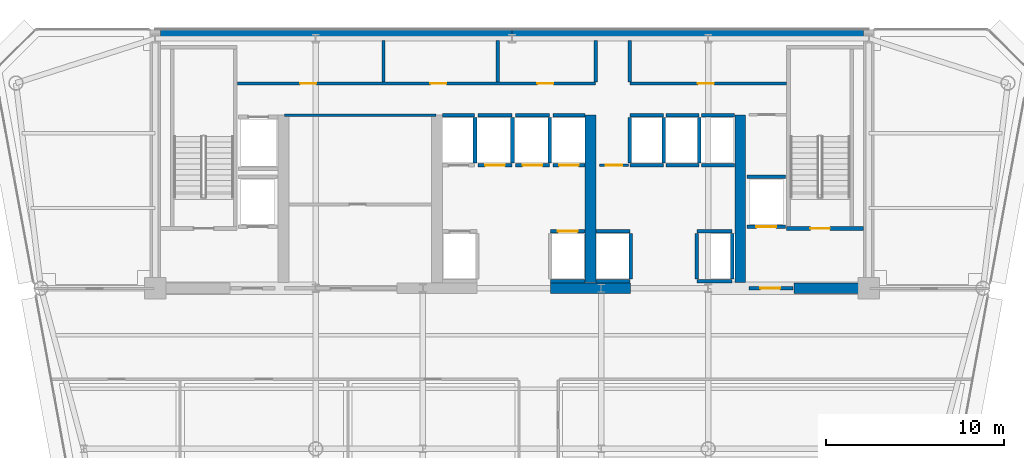
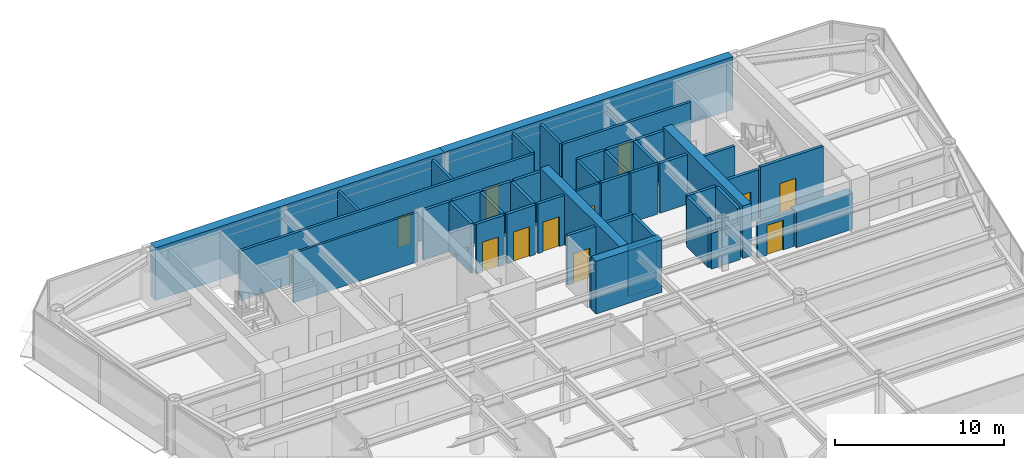
# One storey, part 12 of 17: 46 walls, 12 doors, 12 openings.
"""IFC4 building model written with IfcOpenShell, lengths in metres."""

from ifc_helpers import new_model, si_unit, direction, frame, frame_2d, origin, place, context, subcontext, project, spatial, rectangle, extrude, source, transform, mapped, material, layer, layer_set, type_object, element, fill, save


model = new_model("IFC4")

# Units and contexts
model_context = context("Model", 3, precision=1e-05, world=origin(), true_north=direction((0.0, 1.0)))
body_context = subcontext(model_context, "Body", "Model", "MODEL_VIEW")
ifc_project = project(units=[si_unit("LENGTHUNIT", "METRE"), si_unit("AREAUNIT", "SQUARE_METRE"), si_unit("VOLUMEUNIT", "CUBIC_METRE"), si_unit("PLANEANGLEUNIT", "RADIAN"), si_unit("MASSUNIT", "GRAM", prefix="KILO")], contexts=[model_context])

# Site, building, storey
site_placement = place(None, origin())
site = spatial("IfcSite", under=ifc_project, at=site_placement, CompositionType="ELEMENT")
building_placement = place(site_placement, origin())
building = spatial("IfcBuilding", under=site, at=building_placement, Name="Vaeldorn Concourse Tower", CompositionType="ELEMENT")
storey_placement = place(building_placement, frame((0.0, 0.0, 180.39990234375)))
storey = spatial("IfcBuildingStorey", under=building, at=storey_placement, Name="L46", CompositionType="ELEMENT", Elevation=180.39990234375)

# Walls
ifc_material_1 = material(Name="Concrete C50/60", Category="concrete")
ifc_layer_1 = layer(ifc_material_1, 0.60009765625)
ifc_layer_set_1 = layer_set([ifc_layer_1], Name="Concrete C50/60")
wall_type_1 = type_object("IfcWallType", Name="WL-CORE-600", PredefinedType="SHEAR", material=ifc_layer_set_1)
for number, where, z_axis, x_axis, name in (
    (1, (14.303955078125, 50.699951171875, 0.0), (0.0, 0.0, 1.0), (1.0, 0.0, 0.0), "Rear Core Shear Wall L46 N1"),
    (2, (34.001953125, 50.699951171875, 0.0), (0.0, 0.0, 1.0), (1.0, 0.0, 0.0), "Rear Core Shear Wall L46 N2"),
):
    element("IfcWall", number, at=place(storey_placement, frame(where, z_axis=z_axis, x_axis=x_axis)), inside=storey, type_object=wall_type_1, Name=name, PredefinedType="SHEAR", context=body_context, shape_type="SweptSolid", body=[
        extrude(rectangle(XDim=19.694091796875, YDim=0.60009765625, at=frame_2d((9.84716796875, 0.0))), origin(), (0.0, 0.0, 1.0), 3.800048828125),
    ])
wall_1_placement = place(storey_placement, frame((36.14990234375, 36.5, 0.0), z_axis=(0.0, 0.0, 1.0), x_axis=(1.0, 0.0, 0.0)))
element("IfcWall", 3, at=wall_1_placement, inside=storey, type_object=wall_type_1, Name="Rear Core Shear Wall L46 S3", PredefinedType="SHEAR", context=body_context, shape_type="SweptSolid", body=[
    extrude(rectangle(XDim=4.5, YDim=0.60009765625, at=frame_2d((2.25, 0.0))), origin(), (0.0, 0.0, 1.0), 3.800048828125),
])
wall_2_placement = place(storey_placement, frame((49.800048828125, 36.5, 0.0), z_axis=(0.0, 0.0, 1.0), x_axis=(1.0, 0.0, 0.0)))
element("IfcWall", 4, at=wall_2_placement, inside=storey, type_object=wall_type_1, Name="Rear Core Shear Wall L46 S4", PredefinedType="SHEAR", context=body_context, shape_type="SweptSolid", body=[
    extrude(rectangle(XDim=3.8798828125, YDim=0.60009765625, at=frame_2d((1.93994140625, 0.0))), origin(), (0.0, 0.0, 1.0), 2.580078125),
])
for number, where, z_axis, x_axis, name in (
    (5, (38.39990234375, 36.820068359375, 0.0), (0.0, 0.0, 1.0), (0.0, 1.0, 0.0), "Rear Core Shear Wall L46 M3"),
    (6, (46.800048828125, 36.820068359375, 0.0), (0.0, 0.0, 1.0), (0.0, 1.0, 0.0), "Rear Core Shear Wall L46 M4"),
):
    element("IfcWall", number, at=place(storey_placement, frame(where, z_axis=z_axis, x_axis=x_axis)), inside=storey, type_object=wall_type_1, Name=name, PredefinedType="SHEAR", context=body_context, shape_type="SweptSolid", body=[
        extrude(rectangle(XDim=9.3798828125, YDim=0.60009765625, at=frame_2d((4.68994140625, 0.0))), origin(), (0.0, 0.0, 1.0), 3.800048828125),
    ])
ifc_material_2 = material(Name="Gypsum Board Partition", Category="gypsum")
ifc_layer_2 = layer(ifc_material_2, 0.14990234375)
ifc_layer_set_2 = layer_set([ifc_layer_2], Name="Gypsum Board Partition")
wall_type_2 = type_object("IfcWallType", Name="WL-PART-150", PredefinedType="PARTITIONING", material=ifc_layer_set_2)
wall_3_placement = place(storey_placement, frame((21.25, 46.199951171875, 0.0), z_axis=(0.0, 0.0, 1.0), x_axis=(1.0, 0.0, 0.0)))
element("IfcWall", 7, at=wall_3_placement, inside=storey, type_object=wall_type_2, Name="Interior Wall CW-L46-R1N", PredefinedType="PARTITIONING", context=body_context, shape_type="SweptSolid", body=[
    extrude(rectangle(XDim=8.5, YDim=0.14990234375, at=frame_2d((4.25, 0.0))), origin(), (0.0, 0.0, 1.0), 3.580078125),
])

# Wall, opening, door
wall_4_placement = place(storey_placement, frame((38.919921875, 43.39990234375, 0.0), z_axis=(0.0, 0.0, 1.0), x_axis=(1.0, 0.0, 0.0)))
wall_4 = element("IfcWall", 8, at=wall_4_placement, inside=storey, type_object=wall_type_2, Name="Interior Wall CW-L46-CCLINK", PredefinedType="PARTITIONING", context=body_context, shape_type="SweptSolid", body=[
    extrude(rectangle(XDim=1.60009765625, YDim=0.14990234375, at=frame_2d((0.800048828125, 0.0))), origin(), (0.0, 0.0, 1.0), 3.580078125),
])
opening_1_placement = place(wall_4_placement, frame((0.35009765625, 0.0, 0.0)))
opening_1 = element("IfcOpeningElement", 9, at=opening_1_placement, cuts=wall_4, Name="Opening D-02", PredefinedType="OPENING", context=body_context, shape_type="SweptSolid", body=[
    extrude(rectangle(XDim=0.89990234375, YDim=2.10009765625, at=frame_2d((0.449951171875, 1.050048828125))), frame((0.0, 0.0849609375, 0.0), z_axis=(0.0, -1.0, 0.0), x_axis=(1.0, 0.0, 0.0)), (0.0, 0.0, 1.0), 0.169921875),
])
ifc_material_3 = material(Name="Fire-Rated Timber Leaf", Category="wood")
door_type_1 = type_object("IfcDoorType", Name="DR-FD30-900", OperationType="NOTDEFINED", PredefinedType="DOOR", material=ifc_material_3)
shared_shape_1 = source(origin(), body_context, "Body", "SweptSolid", [
    extrude(rectangle(XDim=0.89990234375, YDim=2.10009765625, at=frame_2d((0.449951171875, 1.050048828125))), frame((0.0, 0.02490234375, 0.0), z_axis=(0.0, -1.0, 0.0), x_axis=(1.0, 0.0, 0.0)), (0.0, 0.0, 1.0), 0.050048828125),
])
door_1_placement = place(opening_1_placement, origin())
door_1 = element("IfcDoor", 10, at=door_1_placement, inside=storey, type_object=door_type_1, Name="Interior Door DR-L46-CCLINK", OperationType="SINGLE_SWING_LEFT", OverallHeight=2.10009765625, OverallWidth=0.89990234375, PredefinedType="DOOR", context=body_context, shape_type="MappedRepresentation", body=[
    mapped(shared_shape_1, transform((0.0, 0.0, 0.0), scale=1.0)),
])
fill(opening_1, door_1)

# Wall, openings, doors
ifc_layer_3 = layer(ifc_material_2, 0.179931640625)
ifc_layer_set_3 = layer_set([ifc_layer_3], Name="Gypsum Board Partition")
wall_type_3 = type_object("IfcWallType", Name="WL-PLUMB-180", PredefinedType="PLUMBINGWALL", material=ifc_layer_set_3)
wall_5_placement = place(storey_placement, frame((18.6201171875, 47.97998046875, 0.0), z_axis=(0.0, 0.0, 1.0), x_axis=(1.0, 0.0, 0.0)))
wall_5 = element("IfcWall", 11, at=wall_5_placement, inside=storey, type_object=wall_type_3, Name="Interior Wall CW-L46-NS1W", PredefinedType="PLUMBINGWALL", context=body_context, shape_type="SweptSolid", body=[
    extrude(rectangle(XDim=20.059814453125, YDim=0.179931640625, at=frame_2d((10.02978515625, 0.0))), origin(), (0.0, 0.0, 1.0), 3.580078125),
])
opening_2_placement = place(wall_5_placement, frame((3.5, 0.0, 0.0)))
opening_2 = element("IfcOpeningElement", 12, at=opening_2_placement, cuts=wall_5, Name="Opening D-03", PredefinedType="OPENING", context=body_context, shape_type="SweptSolid", body=[
    extrude(rectangle(XDim=0.89990234375, YDim=2.14990234375, at=frame_2d((0.449951171875, 1.074951171875))), frame((0.0, 0.10009765625, 0.0), z_axis=(0.0, -1.0, 0.0), x_axis=(1.0, 0.0, 0.0)), (0.0, 0.0, 1.0), 0.199951171875),
])
opening_3_placement = place(wall_5_placement, frame((10.800048828125, 0.0, 0.0)))
opening_3 = element("IfcOpeningElement", 13, at=opening_3_placement, cuts=wall_5, Name="Opening D-03", PredefinedType="OPENING", context=body_context, shape_type="SweptSolid", body=[
    extrude(rectangle(XDim=0.89990234375, YDim=2.14990234375, at=frame_2d((0.449951171875, 1.074951171875))), frame((0.0, 0.10009765625, 0.0), z_axis=(0.0, -1.0, 0.0), x_axis=(1.0, 0.0, 0.0)), (0.0, 0.0, 1.0), 0.199951171875),
])
opening_4_placement = place(wall_5_placement, frame((16.800048828125, 0.0, 0.0)))
opening_4 = element("IfcOpeningElement", 14, at=opening_4_placement, cuts=wall_5, Name="Opening D-03", PredefinedType="OPENING", context=body_context, shape_type="SweptSolid", body=[
    extrude(rectangle(XDim=0.89990234375, YDim=2.14990234375, at=frame_2d((0.449951171875, 1.074951171875))), frame((0.0, 0.10009765625, 0.0), z_axis=(0.0, -1.0, 0.0), x_axis=(1.0, 0.0, 0.0)), (0.0, 0.0, 1.0), 0.199951171875),
])
ifc_material_4 = material(Name="Acoustic Bronze-Framed Glass Door", Category="glass")
door_type_2 = type_object("IfcDoorType", Name="DR-INT-900", OperationType="NOTDEFINED", PredefinedType="DOOR", material=ifc_material_4)
shared_shape_2 = source(origin(), body_context, "Body", "SweptSolid", [
    extrude(rectangle(XDim=0.89990234375, YDim=2.14990234375, at=frame_2d((0.449951171875, 1.074951171875))), frame((0.0, 0.02490234375, 0.0), z_axis=(0.0, -1.0, 0.0), x_axis=(1.0, 0.0, 0.0)), (0.0, 0.0, 1.0), 0.050048828125),
])
door_2_placement = place(opening_2_placement, origin())
door_2 = element("IfcDoor", 15, at=door_2_placement, inside=storey, type_object=door_type_2, Name="Interior Door DR-L46-CS1", OperationType="SINGLE_SWING_LEFT", OverallHeight=2.14990234375, OverallWidth=0.89990234375, PredefinedType="DOOR", context=body_context, shape_type="MappedRepresentation", body=[
    mapped(shared_shape_2, transform((0.0, 0.0, 0.0), scale=1.0)),
])
fill(opening_2, door_2)
door_3_placement = place(opening_3_placement, origin())
door_3 = element("IfcDoor", 16, at=door_3_placement, inside=storey, type_object=door_type_2, Name="Interior Door DR-L46-CS2", OperationType="SINGLE_SWING_RIGHT", OverallHeight=2.14990234375, OverallWidth=0.89990234375, PredefinedType="DOOR", context=body_context, shape_type="MappedRepresentation", body=[
    mapped(shared_shape_2, transform((0.0, 0.0, 0.0), scale=1.0)),
])
fill(opening_3, door_3)
door_4_placement = place(opening_4_placement, origin())
door_4 = element("IfcDoor", 17, at=door_4_placement, inside=storey, type_object=door_type_2, Name="Interior Door DR-L46-CS3", OperationType="SINGLE_SWING_LEFT", OverallHeight=2.14990234375, OverallWidth=0.89990234375, PredefinedType="DOOR", context=body_context, shape_type="MappedRepresentation", body=[
    mapped(shared_shape_2, transform((0.0, 0.0, 0.0), scale=1.0)),
])
fill(opening_4, door_4)

# Wall, opening, door
wall_6_placement = place(storey_placement, frame((40.6201171875, 47.97998046875, 0.0), z_axis=(0.0, 0.0, 1.0), x_axis=(1.0, 0.0, 0.0)))
wall_6 = element("IfcWall", 18, at=wall_6_placement, inside=storey, type_object=wall_type_3, Name="Interior Wall CW-L46-NS1E", PredefinedType="PLUMBINGWALL", context=body_context, shape_type="SweptSolid", body=[
    extrude(rectangle(XDim=8.759765625, YDim=0.179931640625, at=frame_2d((4.3798828125, 0.0))), origin(), (0.0, 0.0, 1.0), 3.580078125),
])
opening_5_placement = place(wall_6_placement, frame((3.800048828125, 0.0, 0.0)))
opening_5 = element("IfcOpeningElement", 19, at=opening_5_placement, cuts=wall_6, Name="Opening D-03", PredefinedType="OPENING", context=body_context, shape_type="SweptSolid", body=[
    extrude(rectangle(XDim=0.89990234375, YDim=2.14990234375, at=frame_2d((0.449951171875, 1.074951171875))), frame((0.0, 0.10009765625, 0.0), z_axis=(0.0, -1.0, 0.0), x_axis=(1.0, 0.0, 0.0)), (0.0, 0.0, 1.0), 0.199951171875),
])
door_5_placement = place(opening_5_placement, origin())
door_5 = element("IfcDoor", 20, at=door_5_placement, inside=storey, type_object=door_type_2, Name="Interior Door DR-L46-CS4", OperationType="SINGLE_SWING_RIGHT", OverallHeight=2.14990234375, OverallWidth=0.89990234375, PredefinedType="DOOR", context=body_context, shape_type="MappedRepresentation", body=[
    mapped(shared_shape_2, transform((0.0, 0.0, 0.0), scale=1.0)),
])
fill(opening_5, door_5)

# Walls
for number, where, z_axis, x_axis, name in (
    (21, (26.800048828125, 48.06005859375, 0.0), (0.0, 0.0, 1.0), (0.0, 1.0, 0.0), "Interior Wall CW-L46-NDIV1"),
    (22, (33.199951171875, 48.06005859375, 0.0), (0.0, 0.0, 1.0), (0.0, 1.0, 0.0), "Interior Wall CW-L46-NDIV2"),
    (23, (38.699951171875, 48.06005859375, 0.0), (0.0, 0.0, 1.0), (0.0, 1.0, 0.0), "Interior Wall CW-L46-NDIV3"),
    (24, (40.60009765625, 48.06005859375, 0.0), (0.0, 0.0, 1.0), (0.0, 1.0, 0.0), "Interior Wall CW-L46-NDIV4"),
):
    element("IfcWall", number, at=place(storey_placement, frame(where, z_axis=z_axis, x_axis=x_axis)), inside=storey, type_object=wall_type_3, Name=name, PredefinedType="PLUMBINGWALL", context=body_context, shape_type="SweptSolid", body=[
        extrude(rectangle(XDim=2.31982421875, YDim=0.179931640625, at=frame_2d((1.159912109375, 0.0))), origin(), (0.0, 0.0, 1.0), 3.580078125),
    ])

# Wall, opening, door
ifc_layer_4 = layer(ifc_material_1, 0.199951171875)
ifc_layer_set_4 = layer_set([ifc_layer_4], Name="Concrete C50/60")
wall_type_4 = type_object("IfcWallType", Name="WL-SHAFT-200", PredefinedType="SOLIDWALL", material=ifc_layer_set_4)
wall_7_placement = place(storey_placement, frame((49.39990234375, 39.85009765625, 0.0), z_axis=(0.0, 0.0, 1.0), x_axis=(1.0, 0.0, 0.0)))
wall_7 = element("IfcWall", 25, at=wall_7_placement, inside=storey, type_object=wall_type_4, Name="Stair Shaft Wall CW-L46-ST-2-S", PredefinedType="SOLIDWALL", context=body_context, shape_type="SweptSolid", body=[
    extrude(rectangle(XDim=4.300048828125, YDim=0.199951171875, at=frame_2d((2.14990234375, 0.0))), origin(), (0.0, 0.0, 1.0), 3.800048828125),
])
opening_6_placement = place(wall_7_placement, frame((1.324951171875, 0.0, 0.0)))
opening_6 = element("IfcOpeningElement", 26, at=opening_6_placement, cuts=wall_7, Name="Opening D-01", PredefinedType="OPENING", context=body_context, shape_type="SweptSolid", body=[
    extrude(rectangle(XDim=1.10009765625, YDim=2.14990234375, at=frame_2d((0.550048828125, 1.074951171875))), frame((0.0, 0.10986328125, 0.0), z_axis=(0.0, -1.0, 0.0), x_axis=(1.0, 0.0, 0.0)), (0.0, 0.0, 1.0), 0.219970703125),
])
ifc_material_5 = material(Name="Fire-Rated Timber and Steel Leaf", Category="steel")
door_type_3 = type_object("IfcDoorType", Name="DR-FD60-1100", OperationType="NOTDEFINED", PredefinedType="DOOR", material=ifc_material_5)
shared_shape_3 = source(origin(), body_context, "Body", "SweptSolid", [
    extrude(rectangle(XDim=1.10009765625, YDim=2.14990234375, at=frame_2d((0.550048828125, 1.074951171875))), frame((0.0, 0.02490234375, 0.0), z_axis=(0.0, -1.0, 0.0), x_axis=(1.0, 0.0, 0.0)), (0.0, 0.0, 1.0), 0.050048828125),
])
door_6_placement = place(opening_6_placement, origin())
door_6 = element("IfcDoor", 27, at=door_6_placement, inside=storey, type_object=door_type_3, Name="Interior Door DR-L46-ST-2", OperationType="SINGLE_SWING_RIGHT", OverallHeight=2.14990234375, OverallWidth=1.10009765625, PredefinedType="DOOR", context=body_context, shape_type="MappedRepresentation", body=[
    mapped(shared_shape_3, transform((0.0, 0.0, 0.0), scale=1.0)),
])
fill(opening_6, door_6)

wall_8_placement = place(storey_placement, frame((47.280029296875, 36.5, 0.0), z_axis=(0.0, 0.0, 1.0), x_axis=(1.0, 0.0, 0.0)))
wall_8 = element("IfcWall", 28, at=wall_8_placement, inside=storey, type_object=wall_type_4, Name="Interior Wall CW-L46-FF2S", PredefinedType="SOLIDWALL", context=body_context, shape_type="SweptSolid", body=[
    extrude(rectangle(XDim=2.469970703125, YDim=0.199951171875, at=frame_2d((1.23486328125, 0.0))), origin(), (0.0, 0.0, 1.0), 2.570068359375),
])
opening_7_placement = place(wall_8_placement, frame((0.64990234375, 0.0, 0.0)))
opening_7 = element("IfcOpeningElement", 29, at=opening_7_placement, cuts=wall_8, Name="Opening D-01", PredefinedType="OPENING", context=body_context, shape_type="SweptSolid", body=[
    extrude(rectangle(XDim=1.10009765625, YDim=2.14990234375, at=frame_2d((0.550048828125, 1.074951171875))), frame((0.0, 0.10986328125, 0.0), z_axis=(0.0, -1.0, 0.0), x_axis=(1.0, 0.0, 0.0)), (0.0, 0.0, 1.0), 0.219970703125),
])
door_7_placement = place(opening_7_placement, origin())
door_7 = element("IfcDoor", 30, at=door_7_placement, inside=storey, type_object=door_type_3, Name="Interior Door DR-L46-FF2W", OperationType="SINGLE_SWING_LEFT", OverallHeight=2.14990234375, OverallWidth=1.10009765625, PredefinedType="DOOR", context=body_context, shape_type="MappedRepresentation", body=[
    mapped(shared_shape_3, transform((0.0, 0.0, 0.0), scale=1.0)),
])
fill(opening_7, door_7)

wall_9_placement = place(storey_placement, frame((36.169921875, 39.699951171875, 0.0), z_axis=(0.0, 0.0, 1.0), x_axis=(1.0, 0.0, 0.0)))
wall_9 = element("IfcWall", 31, at=wall_9_placement, inside=storey, type_object=wall_type_4, Name="Interior Wall CW-L46-LF-LF-08", PredefinedType="SOLIDWALL", context=body_context, shape_type="SweptSolid", body=[
    extrude(rectangle(XDim=1.920166015625, YDim=0.199951171875, at=frame_2d((0.9599609375, 0.0))), origin(), (0.0, 0.0, 1.0), 3.580078125),
])
opening_8_placement = place(wall_9_placement, frame((0.409912109375, 0.0, 0.0)))
opening_8 = element("IfcOpeningElement", 32, at=opening_8_placement, cuts=wall_9, Name="Opening LD-1", PredefinedType="OPENING", context=body_context, shape_type="SweptSolid", body=[
    extrude(rectangle(XDim=1.10009765625, YDim=2.14990234375, at=frame_2d((0.550048828125, 1.074951171875))), frame((0.0, 0.10986328125, 0.0), z_axis=(0.0, -1.0, 0.0), x_axis=(1.0, 0.0, 0.0)), (0.0, 0.0, 1.0), 0.219970703125),
])
ifc_material_6 = material(Name="Anodised Bronze Aluminium", Category="aluminium")
door_type_4 = type_object("IfcDoorType", Name="DR-LIFT-SLIDE-1100", OperationType="DOUBLE_DOOR_SLIDING", PredefinedType="DOOR", material=ifc_material_6)
door_8_placement = place(opening_8_placement, origin())
door_8 = element("IfcDoor", 33, at=door_8_placement, inside=storey, type_object=door_type_4, Name="Lift Landing Door LD-L46-LF-08", OperationType="DOUBLE_DOOR_SLIDING", OverallHeight=2.14990234375, OverallWidth=1.10009765625, PredefinedType="DOOR", context=body_context, shape_type="MappedRepresentation", body=[
    mapped(shared_shape_3, transform((0.0, 0.0, 0.0), scale=1.0)),
])
fill(opening_8, door_8)

# Walls
wall_10_placement = place(storey_placement, frame((36.169921875, 36.89990234375, 0.0), z_axis=(0.0, 0.0, 1.0), x_axis=(1.0, 0.0, 0.0)))
element("IfcWall", 34, at=wall_10_placement, inside=storey, type_object=wall_type_4, Name="Interior Wall CW-L46-LFB-LF-08", PredefinedType="SOLIDWALL", context=body_context, shape_type="SweptSolid", body=[
    extrude(rectangle(XDim=1.920166015625, YDim=0.199951171875, at=frame_2d((0.9599609375, 0.0))), origin(), (0.0, 0.0, 1.0), 3.580078125),
])
wall_11_placement = place(storey_placement, frame((30.110107421875, 46.199951171875, 0.0), z_axis=(0.0, 0.0, 1.0), x_axis=(1.0, 0.0, 0.0)))
element("IfcWall", 35, at=wall_11_placement, inside=storey, type_object=wall_type_4, Name="Interior Wall CW-L46-LFB-LF-09", PredefinedType="SOLIDWALL", context=body_context, shape_type="SweptSolid", body=[
    extrude(rectangle(XDim=1.7998046875, YDim=0.199951171875, at=frame_2d((0.89990234375, 0.0))), origin(), (0.0, 0.0, 1.0), 3.580078125),
])
wall_12_placement = place(storey_placement, frame((31.929931640625, 43.52001953125, 0.0), z_axis=(0.0, 0.0, 1.0), x_axis=(0.0, 1.0, 0.0)))
element("IfcWall", 36, at=wall_12_placement, inside=storey, type_object=wall_type_4, Name="Interior Wall CW-L46-LFE-LF-09", PredefinedType="SOLIDWALL", context=body_context, shape_type="SweptSolid", body=[
    extrude(rectangle(XDim=2.56005859375, YDim=0.199951171875, at=frame_2d((1.280029296875, 0.0))), origin(), (0.0, 0.0, 1.0), 3.580078125),
])

# Wall, opening, door
wall_13_placement = place(storey_placement, frame((32.090087890625, 43.39990234375, 0.0), z_axis=(0.0, 0.0, 1.0), x_axis=(1.0, 0.0, 0.0)))
wall_13 = element("IfcWall", 37, at=wall_13_placement, inside=storey, type_object=wall_type_4, Name="Interior Wall CW-L46-LF-LF-10", PredefinedType="SOLIDWALL", context=body_context, shape_type="SweptSolid", body=[
    extrude(rectangle(XDim=1.919921875, YDim=0.199951171875, at=frame_2d((0.9599609375, 0.0))), origin(), (0.0, 0.0, 1.0), 3.580078125),
])
opening_9_placement = place(wall_13_placement, frame((0.409912109375, 0.0, 0.0)))
opening_9 = element("IfcOpeningElement", 38, at=opening_9_placement, cuts=wall_13, Name="Opening LD-1", PredefinedType="OPENING", context=body_context, shape_type="SweptSolid", body=[
    extrude(rectangle(XDim=1.10009765625, YDim=2.14990234375, at=frame_2d((0.550048828125, 1.074951171875))), frame((0.0, 0.10986328125, 0.0), z_axis=(0.0, -1.0, 0.0), x_axis=(1.0, 0.0, 0.0)), (0.0, 0.0, 1.0), 0.219970703125),
])
door_9_placement = place(opening_9_placement, origin())
door_9 = element("IfcDoor", 39, at=door_9_placement, inside=storey, type_object=door_type_4, Name="Lift Landing Door LD-L46-LF-10", OperationType="DOUBLE_DOOR_SLIDING", OverallHeight=2.14990234375, OverallWidth=1.10009765625, PredefinedType="DOOR", context=body_context, shape_type="MappedRepresentation", body=[
    mapped(shared_shape_3, transform((0.0, 0.0, 0.0), scale=1.0)),
])
fill(opening_9, door_9)

# Walls
wall_14_placement = place(storey_placement, frame((32.090087890625, 46.199951171875, 0.0), z_axis=(0.0, 0.0, 1.0), x_axis=(1.0, 0.0, 0.0)))
element("IfcWall", 40, at=wall_14_placement, inside=storey, type_object=wall_type_4, Name="Interior Wall CW-L46-LFB-LF-10", PredefinedType="SOLIDWALL", context=body_context, shape_type="SweptSolid", body=[
    extrude(rectangle(XDim=1.919921875, YDim=0.199951171875, at=frame_2d((0.9599609375, 0.0))), origin(), (0.0, 0.0, 1.0), 3.580078125),
])
wall_15_placement = place(storey_placement, frame((34.030029296875, 43.52001953125, 0.0), z_axis=(0.0, 0.0, 1.0), x_axis=(0.0, 1.0, 0.0)))
element("IfcWall", 41, at=wall_15_placement, inside=storey, type_object=wall_type_4, Name="Interior Wall CW-L46-LFE-LF-10", PredefinedType="SOLIDWALL", context=body_context, shape_type="SweptSolid", body=[
    extrude(rectangle(XDim=2.56005859375, YDim=0.199951171875, at=frame_2d((1.280029296875, 0.0))), origin(), (0.0, 0.0, 1.0), 3.580078125),
])

# Wall, opening, door
wall_16_placement = place(storey_placement, frame((34.18994140625, 43.39990234375, 0.0), z_axis=(0.0, 0.0, 1.0), x_axis=(1.0, 0.0, 0.0)))
wall_16 = element("IfcWall", 42, at=wall_16_placement, inside=storey, type_object=wall_type_4, Name="Interior Wall CW-L46-LF-LF-11", PredefinedType="SOLIDWALL", context=body_context, shape_type="SweptSolid", body=[
    extrude(rectangle(XDim=1.920166015625, YDim=0.199951171875, at=frame_2d((0.9599609375, 0.0))), origin(), (0.0, 0.0, 1.0), 3.580078125),
])
opening_10_placement = place(wall_16_placement, frame((0.409912109375, 0.0, 0.0)))
opening_10 = element("IfcOpeningElement", 43, at=opening_10_placement, cuts=wall_16, Name="Opening LD-1", PredefinedType="OPENING", context=body_context, shape_type="SweptSolid", body=[
    extrude(rectangle(XDim=1.10009765625, YDim=2.14990234375, at=frame_2d((0.550048828125, 1.074951171875))), frame((0.0, 0.10986328125, 0.0), z_axis=(0.0, -1.0, 0.0), x_axis=(1.0, 0.0, 0.0)), (0.0, 0.0, 1.0), 0.219970703125),
])
door_10_placement = place(opening_10_placement, origin())
door_10 = element("IfcDoor", 44, at=door_10_placement, inside=storey, type_object=door_type_4, Name="Lift Landing Door LD-L46-LF-11", OperationType="DOUBLE_DOOR_SLIDING", OverallHeight=2.14990234375, OverallWidth=1.10009765625, PredefinedType="DOOR", context=body_context, shape_type="MappedRepresentation", body=[
    mapped(shared_shape_3, transform((0.0, 0.0, 0.0), scale=1.0)),
])
fill(opening_10, door_10)

# Walls
wall_17_placement = place(storey_placement, frame((34.18994140625, 46.199951171875, 0.0), z_axis=(0.0, 0.0, 1.0), x_axis=(1.0, 0.0, 0.0)))
element("IfcWall", 45, at=wall_17_placement, inside=storey, type_object=wall_type_4, Name="Interior Wall CW-L46-LFB-LF-11", PredefinedType="SOLIDWALL", context=body_context, shape_type="SweptSolid", body=[
    extrude(rectangle(XDim=1.920166015625, YDim=0.199951171875, at=frame_2d((0.9599609375, 0.0))), origin(), (0.0, 0.0, 1.0), 3.580078125),
])
wall_18_placement = place(storey_placement, frame((36.1298828125, 43.52001953125, 0.0), z_axis=(0.0, 0.0, 1.0), x_axis=(0.0, 1.0, 0.0)))
element("IfcWall", 46, at=wall_18_placement, inside=storey, type_object=wall_type_4, Name="Interior Wall CW-L46-LFE-LF-11", PredefinedType="SOLIDWALL", context=body_context, shape_type="SweptSolid", body=[
    extrude(rectangle(XDim=2.56005859375, YDim=0.199951171875, at=frame_2d((1.280029296875, 0.0))), origin(), (0.0, 0.0, 1.0), 3.580078125),
])

# Wall, opening, door
wall_19_placement = place(storey_placement, frame((36.2900390625, 43.39990234375, 0.0), z_axis=(0.0, 0.0, 1.0), x_axis=(1.0, 0.0, 0.0)))
wall_19 = element("IfcWall", 47, at=wall_19_placement, inside=storey, type_object=wall_type_4, Name="Interior Wall CW-L46-LF-LF-12", PredefinedType="SOLIDWALL", context=body_context, shape_type="SweptSolid", body=[
    extrude(rectangle(XDim=1.800048828125, YDim=0.199951171875, at=frame_2d((0.89990234375, 0.0))), origin(), (0.0, 0.0, 1.0), 3.580078125),
])
opening_11_placement = place(wall_19_placement, frame((0.35009765625, 0.0, 0.0)))
opening_11 = element("IfcOpeningElement", 48, at=opening_11_placement, cuts=wall_19, Name="Opening LD-1", PredefinedType="OPENING", context=body_context, shape_type="SweptSolid", body=[
    extrude(rectangle(XDim=1.10009765625, YDim=2.14990234375, at=frame_2d((0.550048828125, 1.074951171875))), frame((0.0, 0.10986328125, 0.0), z_axis=(0.0, -1.0, 0.0), x_axis=(1.0, 0.0, 0.0)), (0.0, 0.0, 1.0), 0.219970703125),
])
door_11_placement = place(opening_11_placement, origin())
door_11 = element("IfcDoor", 49, at=door_11_placement, inside=storey, type_object=door_type_4, Name="Lift Landing Door LD-L46-LF-12", OperationType="DOUBLE_DOOR_SLIDING", OverallHeight=2.14990234375, OverallWidth=1.10009765625, PredefinedType="DOOR", context=body_context, shape_type="MappedRepresentation", body=[
    mapped(shared_shape_3, transform((0.0, 0.0, 0.0), scale=1.0)),
])
fill(opening_11, door_11)

# Walls
wall_20_placement = place(storey_placement, frame((36.2900390625, 46.199951171875, 0.0), z_axis=(0.0, 0.0, 1.0), x_axis=(1.0, 0.0, 0.0)))
element("IfcWall", 50, at=wall_20_placement, inside=storey, type_object=wall_type_4, Name="Interior Wall CW-L46-LFB-LF-12", PredefinedType="SOLIDWALL", context=body_context, shape_type="SweptSolid", body=[
    extrude(rectangle(XDim=1.800048828125, YDim=0.199951171875, at=frame_2d((0.89990234375, 0.0))), origin(), (0.0, 0.0, 1.0), 3.580078125),
])
for number, where, z_axis, x_axis, name in (
    (51, (38.7099609375, 39.699951171875, 0.0), (0.0, 0.0, 1.0), (1.0, 0.0, 0.0), "Interior Wall CW-L46-LF-LF-13"),
    (52, (38.7099609375, 36.89990234375, 0.0), (0.0, 0.0, 1.0), (1.0, 0.0, 0.0), "Interior Wall CW-L46-LFB-LF-13"),
):
    element("IfcWall", number, at=place(storey_placement, frame(where, z_axis=z_axis, x_axis=x_axis)), inside=storey, type_object=wall_type_4, Name=name, PredefinedType="SOLIDWALL", context=body_context, shape_type="SweptSolid", body=[
        extrude(rectangle(XDim=1.919921875, YDim=0.199951171875, at=frame_2d((0.9599609375, 0.0))), origin(), (0.0, 0.0, 1.0), 3.580078125),
    ])
wall_21_placement = place(storey_placement, frame((40.64990234375, 37.02001953125, 0.0), z_axis=(0.0, 0.0, 1.0), x_axis=(0.0, 1.0, 0.0)))
element("IfcWall", 53, at=wall_21_placement, inside=storey, type_object=wall_type_4, Name="Interior Wall CW-L46-LFE-LF-13", PredefinedType="SOLIDWALL", context=body_context, shape_type="SweptSolid", body=[
    extrude(rectangle(XDim=2.56005859375, YDim=0.199951171875, at=frame_2d((1.280029296875, 0.0))), origin(), (0.0, 0.0, 1.0), 3.580078125),
])
wall_22_placement = place(storey_placement, frame((44.3701171875, 39.699951171875, 0.0), z_axis=(0.0, 0.0, 1.0), x_axis=(1.0, 0.0, 0.0)))
element("IfcWall", 54, at=wall_22_placement, inside=storey, type_object=wall_type_4, Name="Interior Wall CW-L46-LF-LF-14", PredefinedType="SOLIDWALL", context=body_context, shape_type="SweptSolid", body=[
    extrude(rectangle(XDim=1.9599609375, YDim=0.199951171875, at=frame_2d((0.97998046875, 0.0))), origin(), (0.0, 0.0, 1.0), 3.580078125),
])
wall_23_placement = place(storey_placement, frame((44.3701171875, 36.89990234375, 0.0), z_axis=(0.0, 0.0, 1.0), x_axis=(1.0, 0.0, 0.0)))
element("IfcWall", 55, at=wall_23_placement, inside=storey, type_object=wall_type_4, Name="Interior Wall CW-L46-LFB-LF-14", PredefinedType="SOLIDWALL", context=body_context, shape_type="SweptSolid", body=[
    extrude(rectangle(XDim=1.9599609375, YDim=0.199951171875, at=frame_2d((0.97998046875, 0.0))), origin(), (0.0, 0.0, 1.0), 2.570068359375),
])
for number, where, z_axis, x_axis, name in (
    (56, (44.35009765625, 37.02001953125, 0.0), (0.0, 0.0, 1.0), (0.0, 1.0, 0.0), "Interior Wall CW-L46-LFW-LF-14"),
    (57, (46.35009765625, 37.02001953125, 0.0), (0.0, 0.0, 1.0), (0.0, 1.0, 0.0), "Interior Wall CW-L46-LFE-LF-14"),
):
    element("IfcWall", number, at=place(storey_placement, frame(where, z_axis=z_axis, x_axis=x_axis)), inside=storey, type_object=wall_type_4, Name=name, PredefinedType="SOLIDWALL", context=body_context, shape_type="SweptSolid", body=[
        extrude(rectangle(XDim=2.56005859375, YDim=0.199951171875, at=frame_2d((1.280029296875, 0.0))), origin(), (0.0, 0.0, 1.0), 3.580078125),
    ])
for number, where, z_axis, x_axis, name in (
    (58, (40.6201171875, 43.39990234375, 0.0), (0.0, 0.0, 1.0), (1.0, 0.0, 0.0), "Interior Wall CW-L46-LF-LF-15"),
    (59, (40.6201171875, 46.199951171875, 0.0), (0.0, 0.0, 1.0), (1.0, 0.0, 0.0), "Interior Wall CW-L46-LFB-LF-15"),
):
    element("IfcWall", number, at=place(storey_placement, frame(where, z_axis=z_axis, x_axis=x_axis)), inside=storey, type_object=wall_type_4, Name=name, PredefinedType="SOLIDWALL", context=body_context, shape_type="SweptSolid", body=[
        extrude(rectangle(XDim=1.85986328125, YDim=0.199951171875, at=frame_2d((0.929931640625, 0.0))), origin(), (0.0, 0.0, 1.0), 3.580078125),
    ])
for number, where, z_axis, x_axis, name in (
    (60, (40.60009765625, 43.52001953125, 0.0), (0.0, 0.0, 1.0), (0.0, 1.0, 0.0), "Interior Wall CW-L46-LFW-LF-15"),
    (61, (42.5, 43.52001953125, 0.0), (0.0, 0.0, 1.0), (0.0, 1.0, 0.0), "Interior Wall CW-L46-LFE-LF-15"),
):
    element("IfcWall", number, at=place(storey_placement, frame(where, z_axis=z_axis, x_axis=x_axis)), inside=storey, type_object=wall_type_4, Name=name, PredefinedType="SOLIDWALL", context=body_context, shape_type="SweptSolid", body=[
        extrude(rectangle(XDim=2.56005859375, YDim=0.199951171875, at=frame_2d((1.280029296875, 0.0))), origin(), (0.0, 0.0, 1.0), 3.580078125),
    ])
for number, where, z_axis, x_axis, name in (
    (62, (42.6201171875, 43.39990234375, 0.0), (0.0, 0.0, 1.0), (1.0, 0.0, 0.0), "Interior Wall CW-L46-LF-LF-16"),
    (63, (42.6201171875, 46.199951171875, 0.0), (0.0, 0.0, 1.0), (1.0, 0.0, 0.0), "Interior Wall CW-L46-LFB-LF-16"),
):
    element("IfcWall", number, at=place(storey_placement, frame(where, z_axis=z_axis, x_axis=x_axis)), inside=storey, type_object=wall_type_4, Name=name, PredefinedType="SOLIDWALL", context=body_context, shape_type="SweptSolid", body=[
        extrude(rectangle(XDim=1.85986328125, YDim=0.199951171875, at=frame_2d((0.929931640625, 0.0))), origin(), (0.0, 0.0, 1.0), 3.580078125),
    ])
wall_24_placement = place(storey_placement, frame((44.5, 43.52001953125, 0.0), z_axis=(0.0, 0.0, 1.0), x_axis=(0.0, 1.0, 0.0)))
element("IfcWall", 64, at=wall_24_placement, inside=storey, type_object=wall_type_4, Name="Interior Wall CW-L46-LFE-LF-16", PredefinedType="SOLIDWALL", context=body_context, shape_type="SweptSolid", body=[
    extrude(rectangle(XDim=2.56005859375, YDim=0.199951171875, at=frame_2d((1.280029296875, 0.0))), origin(), (0.0, 0.0, 1.0), 3.580078125),
])
for number, where, z_axis, x_axis, name in (
    (65, (44.6201171875, 43.39990234375, 0.0), (0.0, 0.0, 1.0), (1.0, 0.0, 0.0), "Interior Wall CW-L46-LF-LF-17"),
    (66, (44.6201171875, 46.199951171875, 0.0), (0.0, 0.0, 1.0), (1.0, 0.0, 0.0), "Interior Wall CW-L46-LFB-LF-17"),
):
    element("IfcWall", number, at=place(storey_placement, frame(where, z_axis=z_axis, x_axis=x_axis)), inside=storey, type_object=wall_type_4, Name=name, PredefinedType="SOLIDWALL", context=body_context, shape_type="SweptSolid", body=[
        extrude(rectangle(XDim=1.85986328125, YDim=0.199951171875, at=frame_2d((0.929931640625, 0.0))), origin(), (0.0, 0.0, 1.0), 3.580078125),
    ])

# Wall, opening, door
wall_25_placement = place(storey_placement, frame((47.169921875, 39.949951171875, 0.0), z_axis=(0.0, 0.0, 1.0), x_axis=(1.0, 0.0, 0.0)))
wall_25 = element("IfcWall", 67, at=wall_25_placement, inside=storey, type_object=wall_type_4, Name="Interior Wall CW-L46-LF-LF-FF2", PredefinedType="SOLIDWALL", context=body_context, shape_type="SweptSolid", body=[
    extrude(rectangle(XDim=2.16015625, YDim=0.199951171875, at=frame_2d((1.080078125, 0.0))), origin(), (0.0, 0.0, 1.0), 3.580078125),
])
opening_12_placement = place(wall_25_placement, frame((0.530029296875, 0.0, 0.0)))
opening_12 = element("IfcOpeningElement", 68, at=opening_12_placement, cuts=wall_25, Name="Opening LD-1", PredefinedType="OPENING", context=body_context, shape_type="SweptSolid", body=[
    extrude(rectangle(XDim=1.10009765625, YDim=2.14990234375, at=frame_2d((0.550048828125, 1.074951171875))), frame((0.0, 0.10986328125, 0.0), z_axis=(0.0, -1.0, 0.0), x_axis=(1.0, 0.0, 0.0)), (0.0, 0.0, 1.0), 0.219970703125),
])
door_12_placement = place(opening_12_placement, origin())
door_12 = element("IfcDoor", 69, at=door_12_placement, inside=storey, type_object=door_type_4, Name="Lift Landing Door LD-L46-LF-FF2", OperationType="DOUBLE_DOOR_SLIDING", OverallHeight=2.14990234375, OverallWidth=1.10009765625, PredefinedType="DOOR", context=body_context, shape_type="MappedRepresentation", body=[
    mapped(shared_shape_3, transform((0.0, 0.0, 0.0), scale=1.0)),
])
fill(opening_12, door_12)

# Wall
wall_26_placement = place(storey_placement, frame((47.169921875, 42.75, 0.0), z_axis=(0.0, 0.0, 1.0), x_axis=(1.0, 0.0, 0.0)))
element("IfcWall", 70, at=wall_26_placement, inside=storey, type_object=wall_type_4, Name="Interior Wall CW-L46-LFB-LF-FF2", PredefinedType="SOLIDWALL", context=body_context, shape_type="SweptSolid", body=[
    extrude(rectangle(XDim=2.16015625, YDim=0.199951171875, at=frame_2d((1.080078125, 0.0))), origin(), (0.0, 0.0, 1.0), 3.580078125),
])

save(model, "model.ifc")
